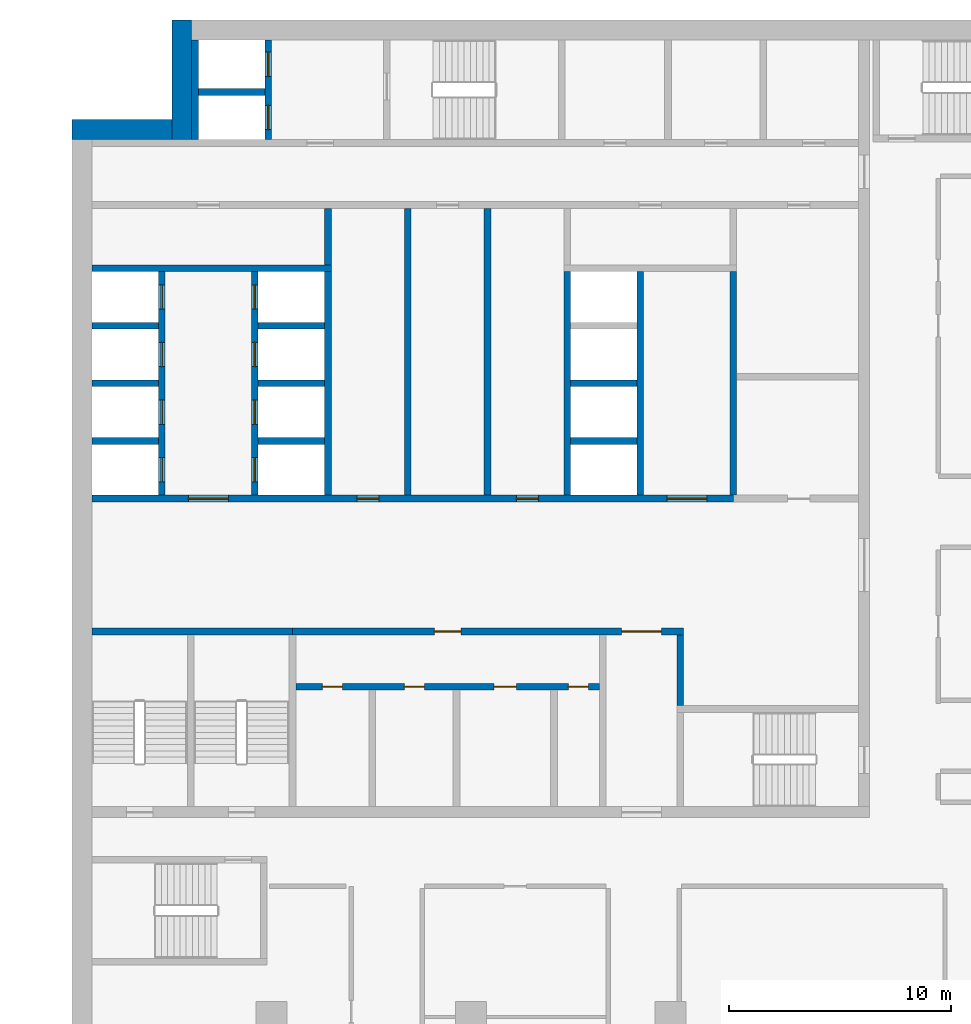
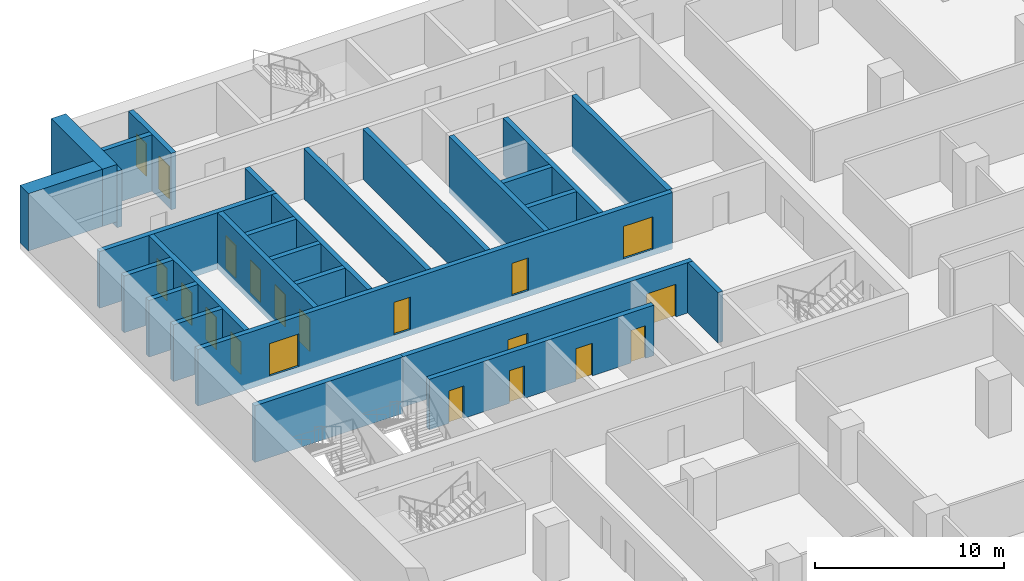
# One storey, part 14 of 28: 28 walls, 20 doors, 20 openings.
"""IFC4 building model written with IfcOpenShell, lengths in metres."""

from ifc_helpers import new_model, si_unit, direction, frame, frame_2d, origin, place, context, subcontext, project, spatial, rectangle, extrude, material, layer, layer_set, type_object, element, fill, save


model = new_model("IFC4")

# Units and contexts
model_context = context("Model", 3, precision=1e-05, world=origin(), true_north=direction((0.0, 1.0)))
body_context = subcontext(model_context, "Body", "Model", "MODEL_VIEW")
ifc_project = project(units=[si_unit("LENGTHUNIT", "METRE"), si_unit("AREAUNIT", "SQUARE_METRE"), si_unit("VOLUMEUNIT", "CUBIC_METRE"), si_unit("PLANEANGLEUNIT", "RADIAN"), si_unit("MASSUNIT", "GRAM", prefix="KILO")], contexts=[model_context])

# Site, building, storey
site_placement = place(None, origin())
site = spatial("IfcSite", under=ifc_project, at=site_placement, CompositionType="ELEMENT")
building_placement = place(site_placement, origin())
building = spatial("IfcBuilding", under=site, at=building_placement, Name="Hunhe Ridgeline Campus", CompositionType="ELEMENT")
storey_placement = place(building_placement, frame((0.0, 0.0, 76.5)))
storey = spatial("IfcBuildingStorey", under=building, at=storey_placement, Name="L18", CompositionType="ELEMENT", Elevation=76.5)

# Wall, openings, doors
ifc_material_1 = material(Name="Masonry concrete blockwork", Category="masonry")
ifc_layer_1 = layer(ifc_material_1, 0.300048828125)
ifc_layer_set_1 = layer_set([ifc_layer_1], Name="Core room partition 300 concrete block")
wall_type_1 = type_object("IfcWallType", Name="Core room partition 300 concrete block", PredefinedType="PARTITIONING", material=ifc_layer_set_1)
wall_1_placement = place(storey_placement, frame((10.10009765625, 68.89990234375, 0.0), z_axis=(0.0, 0.0, 1.0), x_axis=(1.0, 0.0, 0.0)))
wall_1 = element("IfcWall", 1, at=wall_1_placement, inside=storey, type_object=wall_type_1, Name="L18 core partition 11", PredefinedType="PARTITIONING", context=body_context, shape_type="SweptSolid", body=[
    extrude(rectangle(XDim=13.699951171875, YDim=0.300048828125, at=frame_2d((6.85009765625, 0.0))), origin(), (0.0, 0.0, 1.0), 3.25),
])
opening_1_placement = place(wall_1_placement, frame((1.199951171875, 0.0, 0.0)))
opening_1 = element("IfcOpeningElement", 2, at=opening_1_placement, cuts=wall_1, Name="Opening CD8", PredefinedType="OPENING", context=body_context, shape_type="SweptSolid", body=[
    extrude(rectangle(XDim=0.89990234375, YDim=2.10009765625, at=frame_2d((0.449951171875, 1.050048828125))), frame((0.0, 0.14990234375, 0.0), z_axis=(0.0, -1.0, 0.0), x_axis=(1.0, 0.0, 0.0)), (0.0, 0.0, 1.0), 0.300048828125),
])
opening_2_placement = place(wall_1_placement, frame((4.89990234375, 0.0, 0.0)))
opening_2 = element("IfcOpeningElement", 3, at=opening_2_placement, cuts=wall_1, Name="Opening CD9", PredefinedType="OPENING", context=body_context, shape_type="SweptSolid", body=[
    extrude(rectangle(XDim=0.89990234375, YDim=2.10009765625, at=frame_2d((0.449951171875, 1.050048828125))), frame((0.0, 0.14990234375, 0.0), z_axis=(0.0, -1.0, 0.0), x_axis=(1.0, 0.0, 0.0)), (0.0, 0.0, 1.0), 0.300048828125),
])
opening_3_placement = place(wall_1_placement, frame((8.949951171875, 0.0, 0.0)))
opening_3 = element("IfcOpeningElement", 4, at=opening_3_placement, cuts=wall_1, Name="Opening CD10", PredefinedType="OPENING", context=body_context, shape_type="SweptSolid", body=[
    extrude(rectangle(XDim=1.0, YDim=2.10009765625, at=frame_2d((0.5, 1.050048828125))), frame((0.0, 0.14990234375, 0.0), z_axis=(0.0, -1.0, 0.0), x_axis=(1.0, 0.0, 0.0)), (0.0, 0.0, 1.0), 0.300048828125),
])
opening_4_placement = place(wall_1_placement, frame((12.300048828125, 0.0, 0.0)))
opening_4 = element("IfcOpeningElement", 5, at=opening_4_placement, cuts=wall_1, Name="Opening CD11", PredefinedType="OPENING", context=body_context, shape_type="SweptSolid", body=[
    extrude(rectangle(XDim=0.89990234375, YDim=2.10009765625, at=frame_2d((0.449951171875, 1.050048828125))), frame((0.0, 0.14990234375, 0.0), z_axis=(0.0, -1.0, 0.0), x_axis=(1.0, 0.0, 0.0)), (0.0, 0.0, 1.0), 0.300048828125),
])
ifc_material_2 = material(Name="Solid core timber door leaf", Category="wood")
door_type_1 = type_object("IfcDoorType", Name="Timber door 1000x2100", OperationType="SINGLE_SWING_LEFT", PredefinedType="DOOR", material=ifc_material_2)
door_1_placement = place(opening_3_placement, frame((1.0, 0.0, 0.0), z_axis=(0.0, 0.0, 1.0), x_axis=(-1.0, 0.0, 0.0)))
door_1 = element("IfcDoor", 6, at=door_1_placement, inside=storey, type_object=door_type_1, Name="L18 door WC3", OperationType="SINGLE_SWING_RIGHT", OverallHeight=2.10009765625, OverallWidth=1.0, PredefinedType="DOOR", context=body_context, shape_type="SweptSolid", body=[
    extrude(rectangle(XDim=1.0, YDim=2.10009765625, at=frame_2d((0.5, 1.050048828125))), frame((0.0, 0.02490234375, 0.0), z_axis=(0.0, -1.0, 0.0), x_axis=(1.0, 0.0, 0.0)), (0.0, 0.0, 1.0), 0.050048828125),
])
fill(opening_3, door_1)
door_type_2 = type_object("IfcDoorType", Name="Timber door 900x2100", OperationType="SINGLE_SWING_LEFT", PredefinedType="DOOR", material=ifc_material_2)
door_2_placement = place(opening_1_placement, frame((0.89990234375, 0.0, 0.0), z_axis=(0.0, 0.0, 1.0), x_axis=(-1.0, 0.0, 0.0)))
door_2 = element("IfcDoor", 7, at=door_2_placement, inside=storey, type_object=door_type_2, Name="L18 door WC1", OperationType="SINGLE_SWING_RIGHT", OverallHeight=2.10009765625, OverallWidth=0.89990234375, PredefinedType="DOOR", context=body_context, shape_type="SweptSolid", body=[
    extrude(rectangle(XDim=0.89990234375, YDim=2.10009765625, at=frame_2d((0.449951171875, 1.050048828125))), frame((0.0, 0.02490234375, 0.0), z_axis=(0.0, -1.0, 0.0), x_axis=(1.0, 0.0, 0.0)), (0.0, 0.0, 1.0), 0.050048828125),
])
fill(opening_1, door_2)
door_3_placement = place(opening_2_placement, frame((0.89990234375, 0.0, 0.0), z_axis=(0.0, 0.0, 1.0), x_axis=(-1.0, 0.0, 0.0)))
door_3 = element("IfcDoor", 8, at=door_3_placement, inside=storey, type_object=door_type_2, Name="L18 door WC2", OperationType="SINGLE_SWING_LEFT", OverallHeight=2.10009765625, OverallWidth=0.89990234375, PredefinedType="DOOR", context=body_context, shape_type="SweptSolid", body=[
    extrude(rectangle(XDim=0.89990234375, YDim=2.10009765625, at=frame_2d((0.449951171875, 1.050048828125))), frame((0.0, 0.02490234375, 0.0), z_axis=(0.0, -1.0, 0.0), x_axis=(1.0, 0.0, 0.0)), (0.0, 0.0, 1.0), 0.050048828125),
])
fill(opening_2, door_3)
door_4_placement = place(opening_4_placement, frame((0.89990234375, 0.0, 0.0), z_axis=(0.0, 0.0, 1.0), x_axis=(-1.0, 0.0, 0.0)))
door_4 = element("IfcDoor", 9, at=door_4_placement, inside=storey, type_object=door_type_2, Name="L18 door WC4", OperationType="SINGLE_SWING_LEFT", OverallHeight=2.10009765625, OverallWidth=0.89990234375, PredefinedType="DOOR", context=body_context, shape_type="SweptSolid", body=[
    extrude(rectangle(XDim=0.89990234375, YDim=2.10009765625, at=frame_2d((0.449951171875, 1.050048828125))), frame((0.0, 0.02490234375, 0.0), z_axis=(0.0, -1.0, 0.0), x_axis=(1.0, 0.0, 0.0)), (0.0, 0.0, 1.0), 0.050048828125),
])
fill(opening_4, door_4)

wall_2_placement = place(storey_placement, frame((9.949951171875, 71.39990234375, 0.0), z_axis=(0.0, 0.0, 1.0), x_axis=(1.0, 0.0, 0.0)))
wall_2 = element("IfcWall", 10, at=wall_2_placement, inside=storey, type_object=wall_type_1, Name="L18 core partition 13", PredefinedType="PARTITIONING", context=body_context, shape_type="SweptSolid", body=[
    extrude(rectangle(XDim=17.650146484375, YDim=0.300048828125, at=frame_2d((8.8251953125, 0.0))), origin(), (0.0, 0.0, 1.0), 3.25),
])
opening_5_placement = place(wall_2_placement, frame((14.85009765625, 0.0, 0.0)))
opening_5 = element("IfcOpeningElement", 11, at=opening_5_placement, cuts=wall_2, Name="Opening CD7", PredefinedType="OPENING", context=body_context, shape_type="SweptSolid", body=[
    extrude(rectangle(XDim=1.800048828125, YDim=2.10009765625, at=frame_2d((0.89990234375, 1.050048828125))), frame((0.0, 0.14990234375, 0.0), z_axis=(0.0, -1.0, 0.0), x_axis=(1.0, 0.0, 0.0)), (0.0, 0.0, 1.0), 0.300048828125),
])
opening_6_placement = place(wall_2_placement, frame((6.39990234375, 0.0, 0.0)))
opening_6 = element("IfcOpeningElement", 12, at=opening_6_placement, cuts=wall_2, Name="Opening CD37", PredefinedType="OPENING", context=body_context, shape_type="SweptSolid", body=[
    extrude(rectangle(XDim=1.199951171875, YDim=2.10009765625, at=frame_2d((0.60009765625, 1.050048828125))), frame((0.0, 0.14990234375, 0.0), z_axis=(0.0, -1.0, 0.0), x_axis=(1.0, 0.0, 0.0)), (0.0, 0.0, 1.0), 0.300048828125),
])
ifc_material_3 = material(Name="Anodised aluminium and glass", Category="aluminium")
door_type_3 = type_object("IfcDoorType", Name="Glazed double door 1800x2100", OperationType="DOUBLE_DOOR_SINGLE_SWING", PredefinedType="DOOR", material=ifc_material_3)
door_5_placement = place(opening_5_placement, origin())
door_5 = element("IfcDoor", 13, at=door_5_placement, inside=storey, type_object=door_type_3, Name="L18 door VEST-HALL", OperationType="DOUBLE_DOOR_SINGLE_SWING", OverallHeight=2.10009765625, OverallWidth=1.800048828125, PredefinedType="DOOR", context=body_context, shape_type="SweptSolid", body=[
    extrude(rectangle(XDim=1.800048828125, YDim=2.10009765625, at=frame_2d((0.89990234375, 1.050048828125))), frame((0.0, 0.02490234375, 0.0), z_axis=(0.0, -1.0, 0.0), x_axis=(1.0, 0.0, 0.0)), (0.0, 0.0, 1.0), 0.050048828125),
])
fill(opening_5, door_5)
door_type_4 = type_object("IfcDoorType", Name="Timber door 1200x2100", OperationType="SINGLE_SWING_LEFT", PredefinedType="DOOR", material=ifc_material_2)
door_6_placement = place(opening_6_placement, origin())
door_6 = element("IfcDoor", 14, at=door_6_placement, inside=storey, type_object=door_type_4, Name="L18 door WCL1-HALL", OperationType="SINGLE_SWING_LEFT", OverallHeight=2.10009765625, OverallWidth=1.199951171875, PredefinedType="DOOR", context=body_context, shape_type="SweptSolid", body=[
    extrude(rectangle(XDim=1.199951171875, YDim=2.10009765625, at=frame_2d((0.60009765625, 1.050048828125))), frame((0.0, 0.02490234375, 0.0), z_axis=(0.0, -1.0, 0.0), x_axis=(1.0, 0.0, 0.0)), (0.0, 0.0, 1.0), 0.050048828125),
])
fill(opening_6, door_6)

# Walls
wall_3_placement = place(storey_placement, frame((11.550048828125, 87.949951171875, 0.0), z_axis=(0.0, 0.0, 1.0), x_axis=(0.0, 1.0, 0.0)))
element("IfcWall", 15, at=wall_3_placement, inside=storey, type_object=wall_type_1, Name="L18 core partition 44", PredefinedType="PARTITIONING", context=body_context, shape_type="SweptSolid", body=[
    extrude(rectangle(XDim=2.550048828125, YDim=0.300048828125, at=frame_2d((1.27490234375, 0.0))), origin(), (0.0, 0.0, 1.0), 3.25),
])
for number, where, z_axis, x_axis, name in (
    (16, (15.14990234375, 77.550048828125, 0.0), (0.0, 0.0, 1.0), (0.0, 1.0, 0.0), "L18 core partition 47"),
    (17, (18.75, 77.550048828125, 0.0), (0.0, 0.0, 1.0), (0.0, 1.0, 0.0), "L18 core partition 49"),
):
    element("IfcWall", number, at=place(storey_placement, frame(where, z_axis=z_axis, x_axis=x_axis)), inside=storey, type_object=wall_type_1, Name=name, PredefinedType="PARTITIONING", context=body_context, shape_type="SweptSolid", body=[
        extrude(rectangle(XDim=12.949951171875, YDim=0.300048828125, at=frame_2d((6.47509765625, 0.0))), origin(), (0.0, 0.0, 1.0), 3.25),
    ])
wall_4_placement = place(storey_placement, frame((27.449951171875, 68.050048828125, 0.0), z_axis=(0.0, 0.0, 1.0), x_axis=(0.0, 1.0, 0.0)))
element("IfcWall", 18, at=wall_4_placement, inside=storey, type_object=wall_type_1, Name="L18 core partition 60", PredefinedType="PARTITIONING", context=body_context, shape_type="SweptSolid", body=[
    extrude(rectangle(XDim=3.199951171875, YDim=0.300048828125, at=frame_2d((1.60009765625, 0.0))), origin(), (0.0, 0.0, 1.0), 3.25),
])
ifc_material_4 = material(Name="Concrete C80", Category="concrete")
ifc_layer_2 = layer(ifc_material_4, 0.300048828125)
ifc_layer_set_2 = layer_set([ifc_layer_2], Name="Lobby wall 300 reinforced concrete C80")
wall_type_2 = type_object("IfcWallType", Name="Lobby wall 300 reinforced concrete C80", PredefinedType="SOLIDWALL", material=ifc_layer_set_2)
wall_5_placement = place(storey_placement, frame((29.85009765625, 77.550048828125, -0.39990234375), z_axis=(0.0, 0.0, 1.0), x_axis=(0.0, 1.0, 0.0)))
element("IfcWall", 19, at=wall_5_placement, inside=storey, type_object=wall_type_2, Name="L18 core wall 61", PredefinedType="SOLIDWALL", context=body_context, shape_type="SweptSolid", body=[
    extrude(rectangle(XDim=10.099853515625, YDim=0.300048828125, at=frame_2d((5.0498046875, 0.0))), origin(), (0.0, 0.0, 1.0), 3.64990234375),
])

# Wall, openings, doors
ifc_layer_3 = layer(ifc_material_4, 0.300048828125)
ifc_layer_set_3 = layer_set([ifc_layer_3], Name="Shaft wall 300 reinforced concrete C80")
wall_type_3 = type_object("IfcWallType", Name="Shaft wall 300 reinforced concrete C80", PredefinedType="SOLIDWALL", material=ifc_layer_set_3)
wall_6_placement = place(storey_placement, frame((0.89990234375, 77.39990234375, -0.39990234375), z_axis=(0.0, 0.0, 1.0), x_axis=(1.0, 0.0, 0.0)))
wall_6 = element("IfcWall", 20, at=wall_6_placement, inside=storey, type_object=wall_type_3, Name="L18 core wall 14", PredefinedType="SOLIDWALL", context=body_context, shape_type="SweptSolid", body=[
    extrude(rectangle(XDim=28.9501953125, YDim=0.300048828125, at=frame_2d((14.47509765625, 0.0))), origin(), (0.0, 0.0, 1.0), 3.64990234375),
])
opening_7_placement = place(wall_6_placement, frame((4.35009765625, 0.0, 0.39990234375)))
opening_7 = element("IfcOpeningElement", 21, at=opening_7_placement, cuts=wall_6, Name="Opening CD1", PredefinedType="OPENING", context=body_context, shape_type="SweptSolid", body=[
    extrude(rectangle(XDim=1.800048828125, YDim=2.10009765625, at=frame_2d((0.89990234375, 1.050048828125))), frame((0.0, 0.14990234375, 0.0), z_axis=(0.0, -1.0, 0.0), x_axis=(1.0, 0.0, 0.0)), (0.0, 0.0, 1.0), 0.300048828125),
])
opening_8_placement = place(wall_6_placement, frame((25.949951171875, 0.0, 0.39990234375)))
opening_8 = element("IfcOpeningElement", 22, at=opening_8_placement, cuts=wall_6, Name="Opening CD2", PredefinedType="OPENING", context=body_context, shape_type="SweptSolid", body=[
    extrude(rectangle(XDim=1.800048828125, YDim=2.10009765625, at=frame_2d((0.89990234375, 1.050048828125))), frame((0.0, 0.14990234375, 0.0), z_axis=(0.0, -1.0, 0.0), x_axis=(1.0, 0.0, 0.0)), (0.0, 0.0, 1.0), 0.300048828125),
])
opening_9_placement = place(wall_6_placement, frame((11.949951171875, 0.0, 0.39990234375)))
opening_9 = element("IfcOpeningElement", 23, at=opening_9_placement, cuts=wall_6, Name="Opening CD28", PredefinedType="OPENING", context=body_context, shape_type="SweptSolid", body=[
    extrude(rectangle(XDim=1.0, YDim=2.10009765625, at=frame_2d((0.5, 1.050048828125))), frame((0.0, 0.14990234375, 0.0), z_axis=(0.0, -1.0, 0.0), x_axis=(1.0, 0.0, 0.0)), (0.0, 0.0, 1.0), 0.300048828125),
])
opening_10_placement = place(wall_6_placement, frame((19.14990234375, 0.0, 0.39990234375)))
opening_10 = element("IfcOpeningElement", 24, at=opening_10_placement, cuts=wall_6, Name="Opening CD30", PredefinedType="OPENING", context=body_context, shape_type="SweptSolid", body=[
    extrude(rectangle(XDim=1.0, YDim=2.10009765625, at=frame_2d((0.5, 1.050048828125))), frame((0.0, 0.14990234375, 0.0), z_axis=(0.0, -1.0, 0.0), x_axis=(1.0, 0.0, 0.0)), (0.0, 0.0, 1.0), 0.300048828125),
])
ifc_material_5 = material(Name="Hollow metal fire door leaf")
door_type_5 = type_object("IfcDoorType", Name="Lobby door 1800x2100 FD60", OperationType="SINGLE_SWING_LEFT", PredefinedType="DOOR", material=ifc_material_5)
door_7_placement = place(opening_7_placement, frame((1.800048828125, 0.0, 0.0), z_axis=(0.0, 0.0, 1.0), x_axis=(-1.0, 0.0, 0.0)))
door_7 = element("IfcDoor", 25, at=door_7_placement, inside=storey, type_object=door_type_5, Name="L18 door LOB-LR", OperationType="SINGLE_SWING_RIGHT", OverallHeight=2.10009765625, OverallWidth=1.800048828125, PredefinedType="DOOR", context=body_context, shape_type="SweptSolid", body=[
    extrude(rectangle(XDim=1.800048828125, YDim=2.10009765625, at=frame_2d((0.89990234375, 1.050048828125))), frame((0.0, 0.02490234375, 0.0), z_axis=(0.0, -1.0, 0.0), x_axis=(1.0, 0.0, 0.0)), (0.0, 0.0, 1.0), 0.050048828125),
])
fill(opening_7, door_7)
door_8_placement = place(opening_8_placement, frame((1.800048828125, 0.0, 0.0), z_axis=(0.0, 0.0, 1.0), x_axis=(-1.0, 0.0, 0.0)))
door_8 = element("IfcDoor", 26, at=door_8_placement, inside=storey, type_object=door_type_5, Name="L18 door LOB-SH", OperationType="SINGLE_SWING_LEFT", OverallHeight=2.10009765625, OverallWidth=1.800048828125, PredefinedType="DOOR", context=body_context, shape_type="SweptSolid", body=[
    extrude(rectangle(XDim=1.800048828125, YDim=2.10009765625, at=frame_2d((0.89990234375, 1.050048828125))), frame((0.0, 0.02490234375, 0.0), z_axis=(0.0, -1.0, 0.0), x_axis=(1.0, 0.0, 0.0)), (0.0, 0.0, 1.0), 0.050048828125),
])
fill(opening_8, door_8)
door_9_placement = place(opening_9_placement, origin())
door_9 = element("IfcDoor", 27, at=door_9_placement, inside=storey, type_object=door_type_1, Name="L18 door VD-HR0", OperationType="SINGLE_SWING_LEFT", OverallHeight=2.10009765625, OverallWidth=1.0, PredefinedType="DOOR", context=body_context, shape_type="SweptSolid", body=[
    extrude(rectangle(XDim=1.0, YDim=2.10009765625, at=frame_2d((0.5, 1.050048828125))), frame((0.0, 0.02490234375, 0.0), z_axis=(0.0, -1.0, 0.0), x_axis=(1.0, 0.0, 0.0)), (0.0, 0.0, 1.0), 0.050048828125),
])
fill(opening_9, door_9)
door_10_placement = place(opening_10_placement, origin())
door_10 = element("IfcDoor", 28, at=door_10_placement, inside=storey, type_object=door_type_1, Name="L18 door VD-HR2", OperationType="SINGLE_SWING_LEFT", OverallHeight=2.10009765625, OverallWidth=1.0, PredefinedType="DOOR", context=body_context, shape_type="SweptSolid", body=[
    extrude(rectangle(XDim=1.0, YDim=2.10009765625, at=frame_2d((0.5, 1.050048828125))), frame((0.0, 0.02490234375, 0.0), z_axis=(0.0, -1.0, 0.0), x_axis=(1.0, 0.0, 0.0)), (0.0, 0.0, 1.0), 0.050048828125),
])
fill(opening_10, door_10)

# Walls
for number, where, z_axis, x_axis, name in (
    (29, (0.89990234375, 80.0, -0.39990234375), (0.0, 0.0, 1.0), (1.0, 0.0, 0.0), "L18 core wall 16"),
    (30, (8.39990234375, 80.0, -0.39990234375), (0.0, 0.0, 1.0), (1.0, 0.0, 0.0), "L18 core wall 17"),
    (31, (22.5, 80.0, -0.39990234375), (0.0, 0.0, 1.0), (1.0, 0.0, 0.0), "L18 core wall 18"),
    (32, (0.89990234375, 82.60009765625, -0.39990234375), (0.0, 0.0, 1.0), (1.0, 0.0, 0.0), "L18 core wall 19"),
    (33, (8.39990234375, 82.60009765625, -0.39990234375), (0.0, 0.0, 1.0), (1.0, 0.0, 0.0), "L18 core wall 20"),
    (34, (22.5, 82.60009765625, -0.39990234375), (0.0, 0.0, 1.0), (1.0, 0.0, 0.0), "L18 core wall 21"),
    (35, (0.89990234375, 85.199951171875, -0.39990234375), (0.0, 0.0, 1.0), (1.0, 0.0, 0.0), "L18 core wall 23"),
    (36, (8.39990234375, 85.199951171875, -0.39990234375), (0.0, 0.0, 1.0), (1.0, 0.0, 0.0), "L18 core wall 24"),
):
    element("IfcWall", number, at=place(storey_placement, frame(where, z_axis=z_axis, x_axis=x_axis)), inside=storey, type_object=wall_type_3, Name=name, PredefinedType="SOLIDWALL", context=body_context, shape_type="SweptSolid", body=[
        extrude(rectangle(XDim=3.0, YDim=0.300048828125, at=frame_2d((1.5, 0.0))), origin(), (0.0, 0.0, 1.0), 3.64990234375),
    ])
wall_7_placement = place(storey_placement, frame((0.89990234375, 87.800048828125, -0.39990234375), z_axis=(0.0, 0.0, 1.0), x_axis=(1.0, 0.0, 0.0)))
element("IfcWall", 37, at=wall_7_placement, inside=storey, type_object=wall_type_3, Name="L18 core wall 26", PredefinedType="SOLIDWALL", context=body_context, shape_type="SweptSolid", body=[
    extrude(rectangle(XDim=10.800048828125, YDim=0.300048828125, at=frame_2d((5.39990234375, 0.0))), origin(), (0.0, 0.0, 1.0), 3.64990234375),
])
wall_8_placement = place(storey_placement, frame((5.699951171875, 95.75, -0.39990234375), z_axis=(0.0, 0.0, 1.0), x_axis=(1.0, 0.0, 0.0)))
element("IfcWall", 38, at=wall_8_placement, inside=storey, type_object=wall_type_3, Name="L18 core wall 34", PredefinedType="SOLIDWALL", context=body_context, shape_type="SweptSolid", body=[
    extrude(rectangle(XDim=3.0, YDim=0.300048828125, at=frame_2d((1.5, 0.0))), origin(), (0.0, 0.0, 1.0), 3.64990234375),
])

# Wall, openings, doors
wall_9_placement = place(storey_placement, frame((4.050048828125, 77.550048828125, -0.39990234375), z_axis=(0.0, 0.0, 1.0), x_axis=(0.0, 1.0, 0.0)))
wall_9 = element("IfcWall", 39, at=wall_9_placement, inside=storey, type_object=wall_type_3, Name="L18 core wall 35", PredefinedType="SOLIDWALL", context=body_context, shape_type="SweptSolid", body=[
    extrude(rectangle(XDim=10.099853515625, YDim=0.300048828125, at=frame_2d((5.0498046875, 0.0))), origin(), (0.0, 0.0, 1.0), 3.64990234375),
])
opening_11_placement = place(wall_9_placement, frame((0.60009765625, 0.0, 0.39990234375)))
opening_11 = element("IfcOpeningElement", 40, at=opening_11_placement, cuts=wall_9, Name="Opening LD-LR1", PredefinedType="OPENING", context=body_context, shape_type="SweptSolid", body=[
    extrude(rectangle(XDim=1.10009765625, YDim=2.10009765625, at=frame_2d((0.550048828125, 1.050048828125))), frame((0.0, 0.14990234375, 0.0), z_axis=(0.0, -1.0, 0.0), x_axis=(1.0, 0.0, 0.0)), (0.0, 0.0, 1.0), 0.300048828125),
])
opening_12_placement = place(wall_9_placement, frame((3.199951171875, 0.0, 0.39990234375)))
opening_12 = element("IfcOpeningElement", 41, at=opening_12_placement, cuts=wall_9, Name="Opening LD-LR2", PredefinedType="OPENING", context=body_context, shape_type="SweptSolid", body=[
    extrude(rectangle(XDim=1.10009765625, YDim=2.10009765625, at=frame_2d((0.550048828125, 1.050048828125))), frame((0.0, 0.14990234375, 0.0), z_axis=(0.0, -1.0, 0.0), x_axis=(1.0, 0.0, 0.0)), (0.0, 0.0, 1.0), 0.300048828125),
])
opening_13_placement = place(wall_9_placement, frame((5.800048828125, 0.0, 0.39990234375)))
opening_13 = element("IfcOpeningElement", 42, at=opening_13_placement, cuts=wall_9, Name="Opening LD-LR3", PredefinedType="OPENING", context=body_context, shape_type="SweptSolid", body=[
    extrude(rectangle(XDim=1.10009765625, YDim=2.10009765625, at=frame_2d((0.550048828125, 1.050048828125))), frame((0.0, 0.14990234375, 0.0), z_axis=(0.0, -1.0, 0.0), x_axis=(1.0, 0.0, 0.0)), (0.0, 0.0, 1.0), 0.300048828125),
])
opening_14_placement = place(wall_9_placement, frame((8.39990234375, 0.0, 0.39990234375)))
opening_14 = element("IfcOpeningElement", 43, at=opening_14_placement, cuts=wall_9, Name="Opening LD-LR4", PredefinedType="OPENING", context=body_context, shape_type="SweptSolid", body=[
    extrude(rectangle(XDim=1.10009765625, YDim=2.10009765625, at=frame_2d((0.550048828125, 1.050048828125))), frame((0.0, 0.14990234375, 0.0), z_axis=(0.0, -1.0, 0.0), x_axis=(1.0, 0.0, 0.0)), (0.0, 0.0, 1.0), 0.300048828125),
])
ifc_material_6 = material(Name="Stainless steel sliding leaves", Category="steel")
door_type_6 = type_object("IfcDoorType", Name="Landing door 1100x2100 FD120", OperationType="SLIDING_TO_LEFT", PredefinedType="DOOR", material=ifc_material_6)
door_11_placement = place(opening_11_placement, origin())
door_11 = element("IfcDoor", 44, at=door_11_placement, inside=storey, type_object=door_type_6, Name="L18 landing door LR1", OperationType="SLIDING_TO_RIGHT", OverallHeight=2.10009765625, OverallWidth=1.10009765625, PredefinedType="DOOR", context=body_context, shape_type="SweptSolid", body=[
    extrude(rectangle(XDim=1.10009765625, YDim=2.10009765625, at=frame_2d((0.550048828125, 1.050048828125))), frame((0.0, 0.02490234375, 0.0), z_axis=(0.0, -1.0, 0.0), x_axis=(1.0, 0.0, 0.0)), (0.0, 0.0, 1.0), 0.050048828125),
])
fill(opening_11, door_11)
door_12_placement = place(opening_12_placement, origin())
door_12 = element("IfcDoor", 45, at=door_12_placement, inside=storey, type_object=door_type_6, Name="L18 landing door LR2", OperationType="SLIDING_TO_LEFT", OverallHeight=2.10009765625, OverallWidth=1.10009765625, PredefinedType="DOOR", context=body_context, shape_type="SweptSolid", body=[
    extrude(rectangle(XDim=1.10009765625, YDim=2.10009765625, at=frame_2d((0.550048828125, 1.050048828125))), frame((0.0, 0.02490234375, 0.0), z_axis=(0.0, -1.0, 0.0), x_axis=(1.0, 0.0, 0.0)), (0.0, 0.0, 1.0), 0.050048828125),
])
fill(opening_12, door_12)
door_13_placement = place(opening_13_placement, origin())
door_13 = element("IfcDoor", 46, at=door_13_placement, inside=storey, type_object=door_type_6, Name="L18 landing door LR3", OperationType="SLIDING_TO_RIGHT", OverallHeight=2.10009765625, OverallWidth=1.10009765625, PredefinedType="DOOR", context=body_context, shape_type="SweptSolid", body=[
    extrude(rectangle(XDim=1.10009765625, YDim=2.10009765625, at=frame_2d((0.550048828125, 1.050048828125))), frame((0.0, 0.02490234375, 0.0), z_axis=(0.0, -1.0, 0.0), x_axis=(1.0, 0.0, 0.0)), (0.0, 0.0, 1.0), 0.050048828125),
])
fill(opening_13, door_13)
door_14_placement = place(opening_14_placement, origin())
door_14 = element("IfcDoor", 47, at=door_14_placement, inside=storey, type_object=door_type_6, Name="L18 landing door LR4", OperationType="SLIDING_TO_LEFT", OverallHeight=2.10009765625, OverallWidth=1.10009765625, PredefinedType="DOOR", context=body_context, shape_type="SweptSolid", body=[
    extrude(rectangle(XDim=1.10009765625, YDim=2.10009765625, at=frame_2d((0.550048828125, 1.050048828125))), frame((0.0, 0.02490234375, 0.0), z_axis=(0.0, -1.0, 0.0), x_axis=(1.0, 0.0, 0.0)), (0.0, 0.0, 1.0), 0.050048828125),
])
fill(opening_14, door_14)

# Wall
wall_10_placement = place(storey_placement, frame((5.550048828125, 93.60009765625, -0.39990234375), z_axis=(0.0, 0.0, 1.0), x_axis=(0.0, 1.0, 0.0)))
element("IfcWall", 48, at=wall_10_placement, inside=storey, type_object=wall_type_3, Name="L18 core wall 37", PredefinedType="SOLIDWALL", context=body_context, shape_type="SweptSolid", body=[
    extrude(rectangle(XDim=4.5, YDim=0.300048828125, at=frame_2d((2.25, 0.0))), origin(), (0.0, 0.0, 1.0), 3.64990234375),
])

# Wall, openings, doors
wall_11_placement = place(storey_placement, frame((8.25, 77.550048828125, -0.39990234375), z_axis=(0.0, 0.0, 1.0), x_axis=(0.0, 1.0, 0.0)))
wall_11 = element("IfcWall", 49, at=wall_11_placement, inside=storey, type_object=wall_type_3, Name="L18 core wall 38", PredefinedType="SOLIDWALL", context=body_context, shape_type="SweptSolid", body=[
    extrude(rectangle(XDim=10.099853515625, YDim=0.300048828125, at=frame_2d((5.0498046875, 0.0))), origin(), (0.0, 0.0, 1.0), 3.64990234375),
])
opening_15_placement = place(wall_11_placement, frame((0.60009765625, 0.0, 0.39990234375)))
opening_15 = element("IfcOpeningElement", 50, at=opening_15_placement, cuts=wall_11, Name="Opening LD-LR5", PredefinedType="OPENING", context=body_context, shape_type="SweptSolid", body=[
    extrude(rectangle(XDim=1.10009765625, YDim=2.10009765625, at=frame_2d((0.550048828125, 1.050048828125))), frame((0.0, 0.14990234375, 0.0), z_axis=(0.0, -1.0, 0.0), x_axis=(1.0, 0.0, 0.0)), (0.0, 0.0, 1.0), 0.300048828125),
])
opening_16_placement = place(wall_11_placement, frame((3.199951171875, 0.0, 0.39990234375)))
opening_16 = element("IfcOpeningElement", 51, at=opening_16_placement, cuts=wall_11, Name="Opening LD-LR6", PredefinedType="OPENING", context=body_context, shape_type="SweptSolid", body=[
    extrude(rectangle(XDim=1.10009765625, YDim=2.10009765625, at=frame_2d((0.550048828125, 1.050048828125))), frame((0.0, 0.14990234375, 0.0), z_axis=(0.0, -1.0, 0.0), x_axis=(1.0, 0.0, 0.0)), (0.0, 0.0, 1.0), 0.300048828125),
])
opening_17_placement = place(wall_11_placement, frame((5.800048828125, 0.0, 0.39990234375)))
opening_17 = element("IfcOpeningElement", 52, at=opening_17_placement, cuts=wall_11, Name="Opening LD-LR7", PredefinedType="OPENING", context=body_context, shape_type="SweptSolid", body=[
    extrude(rectangle(XDim=1.10009765625, YDim=2.10009765625, at=frame_2d((0.550048828125, 1.050048828125))), frame((0.0, 0.14990234375, 0.0), z_axis=(0.0, -1.0, 0.0), x_axis=(1.0, 0.0, 0.0)), (0.0, 0.0, 1.0), 0.300048828125),
])
opening_18_placement = place(wall_11_placement, frame((8.39990234375, 0.0, 0.39990234375)))
opening_18 = element("IfcOpeningElement", 53, at=opening_18_placement, cuts=wall_11, Name="Opening LD-LR8", PredefinedType="OPENING", context=body_context, shape_type="SweptSolid", body=[
    extrude(rectangle(XDim=1.10009765625, YDim=2.10009765625, at=frame_2d((0.550048828125, 1.050048828125))), frame((0.0, 0.14990234375, 0.0), z_axis=(0.0, -1.0, 0.0), x_axis=(1.0, 0.0, 0.0)), (0.0, 0.0, 1.0), 0.300048828125),
])
door_15_placement = place(opening_15_placement, origin())
door_15 = element("IfcDoor", 54, at=door_15_placement, inside=storey, type_object=door_type_6, Name="L18 landing door LR5", OperationType="SLIDING_TO_RIGHT", OverallHeight=2.10009765625, OverallWidth=1.10009765625, PredefinedType="DOOR", context=body_context, shape_type="SweptSolid", body=[
    extrude(rectangle(XDim=1.10009765625, YDim=2.10009765625, at=frame_2d((0.550048828125, 1.050048828125))), frame((0.0, 0.02490234375, 0.0), z_axis=(0.0, -1.0, 0.0), x_axis=(1.0, 0.0, 0.0)), (0.0, 0.0, 1.0), 0.050048828125),
])
fill(opening_15, door_15)
door_16_placement = place(opening_16_placement, origin())
door_16 = element("IfcDoor", 55, at=door_16_placement, inside=storey, type_object=door_type_6, Name="L18 landing door LR6", OperationType="SLIDING_TO_LEFT", OverallHeight=2.10009765625, OverallWidth=1.10009765625, PredefinedType="DOOR", context=body_context, shape_type="SweptSolid", body=[
    extrude(rectangle(XDim=1.10009765625, YDim=2.10009765625, at=frame_2d((0.550048828125, 1.050048828125))), frame((0.0, 0.02490234375, 0.0), z_axis=(0.0, -1.0, 0.0), x_axis=(1.0, 0.0, 0.0)), (0.0, 0.0, 1.0), 0.050048828125),
])
fill(opening_16, door_16)
door_17_placement = place(opening_17_placement, origin())
door_17 = element("IfcDoor", 56, at=door_17_placement, inside=storey, type_object=door_type_6, Name="L18 landing door LR7", OperationType="SLIDING_TO_RIGHT", OverallHeight=2.10009765625, OverallWidth=1.10009765625, PredefinedType="DOOR", context=body_context, shape_type="SweptSolid", body=[
    extrude(rectangle(XDim=1.10009765625, YDim=2.10009765625, at=frame_2d((0.550048828125, 1.050048828125))), frame((0.0, 0.02490234375, 0.0), z_axis=(0.0, -1.0, 0.0), x_axis=(1.0, 0.0, 0.0)), (0.0, 0.0, 1.0), 0.050048828125),
])
fill(opening_17, door_17)
door_18_placement = place(opening_18_placement, origin())
door_18 = element("IfcDoor", 57, at=door_18_placement, inside=storey, type_object=door_type_6, Name="L18 landing door LR8", OperationType="SLIDING_TO_LEFT", OverallHeight=2.10009765625, OverallWidth=1.10009765625, PredefinedType="DOOR", context=body_context, shape_type="SweptSolid", body=[
    extrude(rectangle(XDim=1.10009765625, YDim=2.10009765625, at=frame_2d((0.550048828125, 1.050048828125))), frame((0.0, 0.02490234375, 0.0), z_axis=(0.0, -1.0, 0.0), x_axis=(1.0, 0.0, 0.0)), (0.0, 0.0, 1.0), 0.050048828125),
])
fill(opening_18, door_18)

wall_12_placement = place(storey_placement, frame((8.85009765625, 93.60009765625, -0.39990234375), z_axis=(0.0, 0.0, 1.0), x_axis=(0.0, 1.0, 0.0)))
wall_12 = element("IfcWall", 58, at=wall_12_placement, inside=storey, type_object=wall_type_3, Name="L18 core wall 41", PredefinedType="SOLIDWALL", context=body_context, shape_type="SweptSolid", body=[
    extrude(rectangle(XDim=4.5, YDim=0.300048828125, at=frame_2d((2.25, 0.0))), origin(), (0.0, 0.0, 1.0), 3.64990234375),
])
opening_19_placement = place(wall_12_placement, frame((0.449951171875, 0.0, 0.39990234375)))
opening_19 = element("IfcOpeningElement", 59, at=opening_19_placement, cuts=wall_12, Name="Opening LD-FF1", PredefinedType="OPENING", context=body_context, shape_type="SweptSolid", body=[
    extrude(rectangle(XDim=1.10009765625, YDim=2.10009765625, at=frame_2d((0.550048828125, 1.050048828125))), frame((0.0, 0.14990234375, 0.0), z_axis=(0.0, -1.0, 0.0), x_axis=(1.0, 0.0, 0.0)), (0.0, 0.0, 1.0), 0.300048828125),
])
opening_20_placement = place(wall_12_placement, frame((2.85009765625, 0.0, 0.39990234375)))
opening_20 = element("IfcOpeningElement", 60, at=opening_20_placement, cuts=wall_12, Name="Opening LD-FF2", PredefinedType="OPENING", context=body_context, shape_type="SweptSolid", body=[
    extrude(rectangle(XDim=1.10009765625, YDim=2.10009765625, at=frame_2d((0.550048828125, 1.050048828125))), frame((0.0, 0.14990234375, 0.0), z_axis=(0.0, -1.0, 0.0), x_axis=(1.0, 0.0, 0.0)), (0.0, 0.0, 1.0), 0.300048828125),
])
door_19_placement = place(opening_19_placement, origin())
door_19 = element("IfcDoor", 61, at=door_19_placement, inside=storey, type_object=door_type_6, Name="L18 landing door FF1", OperationType="SLIDING_TO_RIGHT", OverallHeight=2.10009765625, OverallWidth=1.10009765625, PredefinedType="DOOR", context=body_context, shape_type="SweptSolid", body=[
    extrude(rectangle(XDim=1.10009765625, YDim=2.10009765625, at=frame_2d((0.550048828125, 1.050048828125))), frame((0.0, 0.02490234375, 0.0), z_axis=(0.0, -1.0, 0.0), x_axis=(1.0, 0.0, 0.0)), (0.0, 0.0, 1.0), 0.050048828125),
])
fill(opening_19, door_19)
door_20_placement = place(opening_20_placement, origin())
door_20 = element("IfcDoor", 62, at=door_20_placement, inside=storey, type_object=door_type_6, Name="L18 landing door FF2", OperationType="SLIDING_TO_LEFT", OverallHeight=2.10009765625, OverallWidth=1.10009765625, PredefinedType="DOOR", context=body_context, shape_type="SweptSolid", body=[
    extrude(rectangle(XDim=1.10009765625, YDim=2.10009765625, at=frame_2d((0.550048828125, 1.050048828125))), frame((0.0, 0.02490234375, 0.0), z_axis=(0.0, -1.0, 0.0), x_axis=(1.0, 0.0, 0.0)), (0.0, 0.0, 1.0), 0.050048828125),
])
fill(opening_20, door_20)

# Walls
for number, where, z_axis, x_axis, name in (
    (63, (11.550048828125, 77.550048828125, -0.39990234375), (0.0, 0.0, 1.0), (0.0, 1.0, 0.0), "L18 core wall 43"),
    (64, (22.35009765625, 77.550048828125, -0.39990234375), (0.0, 0.0, 1.0), (0.0, 1.0, 0.0), "L18 core wall 53"),
    (65, (25.64990234375, 77.550048828125, -0.39990234375), (0.0, 0.0, 1.0), (0.0, 1.0, 0.0), "L18 core wall 57"),
):
    element("IfcWall", number, at=place(storey_placement, frame(where, z_axis=z_axis, x_axis=x_axis)), inside=storey, type_object=wall_type_3, Name=name, PredefinedType="SOLIDWALL", context=body_context, shape_type="SweptSolid", body=[
        extrude(rectangle(XDim=10.099853515625, YDim=0.300048828125, at=frame_2d((5.0498046875, 0.0))), origin(), (0.0, 0.0, 1.0), 3.64990234375),
    ])
ifc_layer_4 = layer(ifc_material_4, 0.89990234375)
ifc_layer_set_4 = layer_set([ifc_layer_4], Name="Spine wall 900 Concrete C80")
wall_type_4 = type_object("IfcWallType", Name="Spine wall 900 Concrete C80", PredefinedType="SHEAR", material=ifc_layer_set_4)
for number, where, z_axis, x_axis, name in (
    (66, (4.949951171875, 99.0, 0.0), (0.0, 0.0, 1.0), (0.0, -1.0, 0.0), "Spine wall SW1-5 L18"),
    (67, (5.400146484375, 94.050048828125, 0.0), (0.0, 0.0, 1.0), (-1.0, 0.0, 0.0), "Spine wall SW1-6 L18"),
):
    element("IfcWall", number, at=place(storey_placement, frame(where, z_axis=z_axis, x_axis=x_axis)), inside=storey, type_object=wall_type_4, Name=name, PredefinedType="SHEAR", context=body_context, shape_type="SweptSolid", body=[
        extrude(rectangle(XDim=5.400146484375, YDim=0.89990234375, at=frame_2d((2.7001953125, 0.0))), origin(), (0.0, 0.0, 1.0), 3.699951171875),
    ])
ifc_layer_5 = layer(ifc_material_4, 0.300048828125)
ifc_layer_set_5 = layer_set([ifc_layer_5], Name="Stair wall 300 reinforced concrete C80")
wall_type_5 = type_object("IfcWallType", Name="Stair wall 300 reinforced concrete C80", PredefinedType="SOLIDWALL", material=ifc_layer_set_5)
wall_13_placement = place(storey_placement, frame((0.89990234375, 71.39990234375, -0.39990234375), z_axis=(0.0, 0.0, 1.0), x_axis=(1.0, 0.0, 0.0)))
element("IfcWall", 68, at=wall_13_placement, inside=storey, type_object=wall_type_5, Name="L18 core wall 12", PredefinedType="SOLIDWALL", context=body_context, shape_type="SweptSolid", body=[
    extrude(rectangle(XDim=9.050048828125, YDim=0.300048828125, at=frame_2d((4.52490234375, 0.0))), origin(), (0.0, 0.0, 1.0), 3.64990234375),
])

save(model, "model.ifc")
